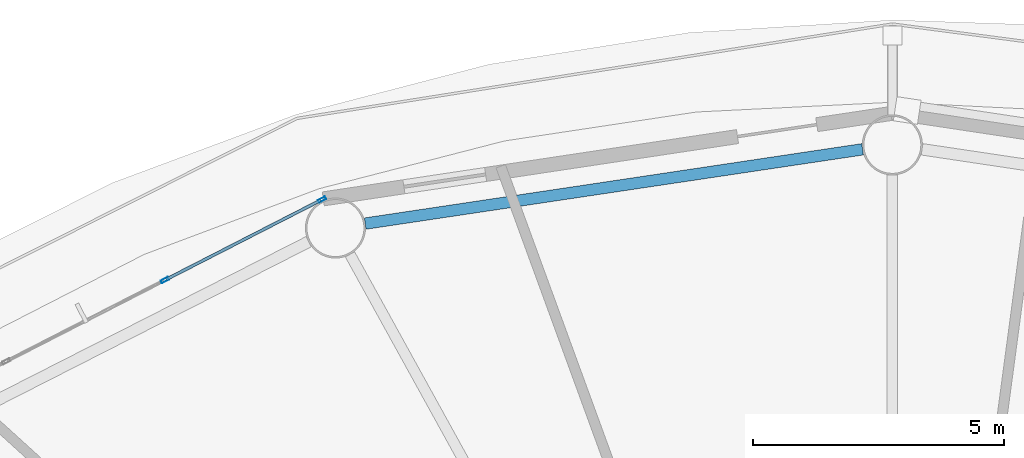
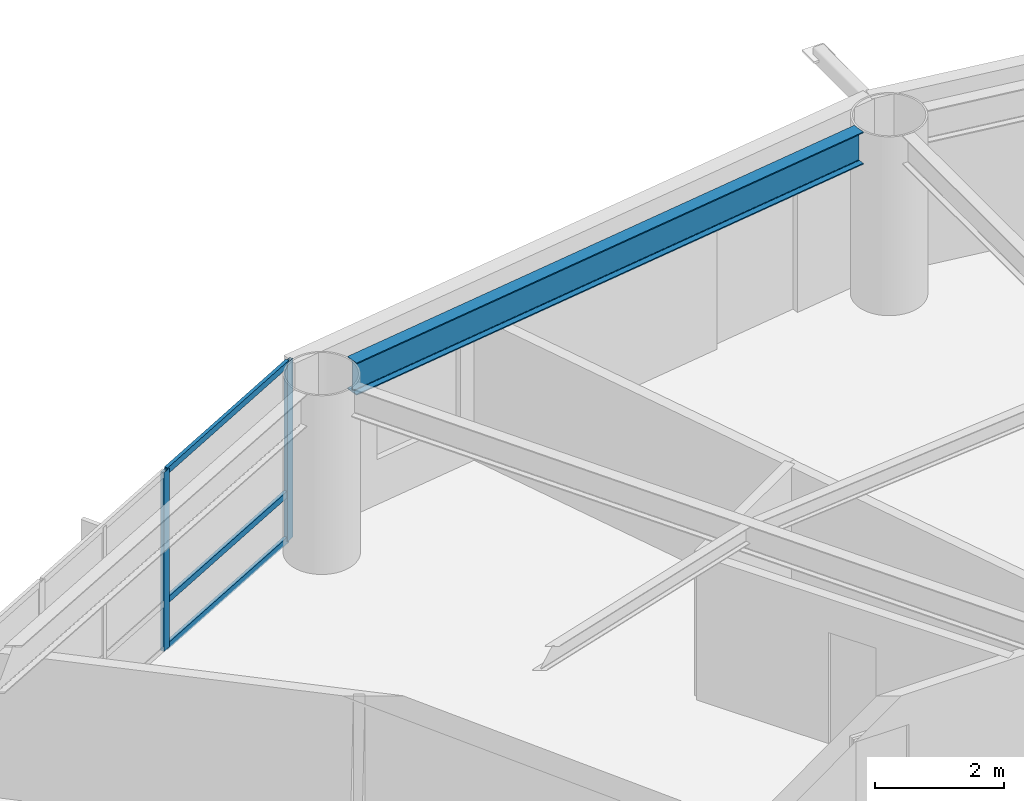
# One storey, part 10 of 24: 5 members, 1 beam, 1 element without a shape of its own.
"""IFC4 building model written with IfcOpenShell, lengths in metres."""

from ifc_helpers import new_model, si_unit, direction, frame, origin, origin_2d, place, context, subcontext, project, spatial, hollow_rectangle, i_section, extrude, material, layer, layer_set, material_profile, profile_set, type_object, element, aggregate, save


model = new_model("IFC4")

# Units and contexts
model_context = context("Model", 3, precision=1e-05, world=origin(), true_north=direction((0.0, 1.0)))
body_context = subcontext(model_context, "Body", "Model", "MODEL_VIEW")
ifc_project = project(units=[si_unit("LENGTHUNIT", "METRE"), si_unit("AREAUNIT", "SQUARE_METRE"), si_unit("VOLUMEUNIT", "CUBIC_METRE"), si_unit("PLANEANGLEUNIT", "RADIAN"), si_unit("MASSUNIT", "GRAM", prefix="KILO")], contexts=[model_context])

# Site, building, storey
site_placement = place(None, origin())
site = spatial("IfcSite", under=ifc_project, at=site_placement, CompositionType="ELEMENT")
building_placement = place(site_placement, origin())
building = spatial("IfcBuilding", under=site, at=building_placement, Name="Sarneth Arch Tower", CompositionType="ELEMENT")
storey_placement = place(building_placement, frame((0.0, 0.0, 109.199951171875)))
storey = spatial("IfcBuildingStorey", under=building, at=storey_placement, Name="L27", CompositionType="ELEMENT", Elevation=109.199951171875)

# Beam
ifc_material_1 = material(Name="Steel S355", Category="steel")
ifc_material_profile_1 = material_profile(ifc_material_1, i_section(OverallWidth=0.22900390625, OverallDepth=0.612060546875, WebThickness=0.011962890625, FlangeThickness=0.01953125, FilletRadius=0.01904296875, at=origin_2d()), Name="W610x125")
ifc_profile_set_1 = profile_set([ifc_material_profile_1], Name="Steel S355")
beam_type = type_object("IfcBeamType", Name="BM-SPAN-610C", PredefinedType="SPANDREL", material=ifc_profile_set_1)
beam_placement = place(storey_placement, frame((47.406494140625, 63.71142578125, 3.073974609375), z_axis=(-0.989028613319, -0.147724073992, 0.0), x_axis=(0.147724073992, -0.989028613319, 0.0)))
element("IfcBeam", 1, at=beam_placement, inside=storey, type_object=beam_type, Name="L27 Perimeter spandrel beam 05", PredefinedType="SPANDREL", context=body_context, shape_type="SweptSolid", body=[
    extrude(i_section(OverallWidth=0.22900390625, OverallDepth=0.612060546875, WebThickness=0.011962890625, FlangeThickness=0.01953125, FilletRadius=0.01904296875, at=origin_2d()), origin(), (0.0, 0.0, 1.0), 10.033447265625),
])

# Curtain wall, members
ifc_material_2 = material(Name="Anodised aluminium Type AA25 and solar-control low-e laminated IGU", Category="aluminium")
ifc_layer = layer(ifc_material_2, 0.159912109375)
ifc_layer_set = layer_set([ifc_layer], Name="Anodised aluminium Type AA25 and solar-control low-e laminated IGU")
curtain_wall_type = type_object("IfcCurtainWallType", Name="CW-HOTEL-MID", PredefinedType="NOTDEFINED", material=ifc_layer_set)
curtain_wall_placement = place(storey_placement, origin())
curtain_wall = element("IfcCurtainWall", 2, at=curtain_wall_placement, inside=storey, type_object=curtain_wall_type, Name="L27 Unitised curtain wall facet 06", PredefinedType="NOTDEFINED")
ifc_material_3 = material(Name="Anodised Aluminium 6063-T6", Category="aluminium")
ifc_material_profile_2 = material_profile(ifc_material_3, hollow_rectangle(XDim=0.06005859375, YDim=0.159912109375, WallThickness=0.00390625, at=origin_2d()), Name="AL-MULL-160x60x4")
ifc_profile_set_2 = profile_set([ifc_material_profile_2], Name="Anodised Aluminium 6063-T6")
member_type_1 = type_object("IfcMemberType", Name="CW-MULLION", PredefinedType="MULLION", material=ifc_profile_set_2)
member_1_placement = place(storey_placement, frame((36.6220703125, 62.708984375, 0.0), z_axis=(0.0, 0.0, 1.0), x_axis=(0.456031365356, -0.889963703649, 0.0)))
member_1 = element("IfcMember", 3, at=member_1_placement, type_object=member_type_1, Name="CW-SYS-4 mullion 1", PredefinedType="MULLION", context=body_context, shape_type="SweptSolid", body=[
    extrude(hollow_rectangle(XDim=0.06005859375, YDim=0.159912109375, WallThickness=0.00390625, at=origin_2d()), origin(), (0.0, 0.0, 1.0), 3.380126953125),
])
member_2_placement = place(storey_placement, frame((33.48583984375, 61.101806640625, 0.0), z_axis=(0.0, 0.0, 1.0), x_axis=(0.456031365356, -0.889963703649, 0.0)))
member_2 = element("IfcMember", 4, at=member_2_placement, type_object=member_type_1, Name="CW-SYS-4 mullion 2", PredefinedType="MULLION", context=body_context, shape_type="SweptSolid", body=[
    extrude(hollow_rectangle(XDim=0.06005859375, YDim=0.159912109375, WallThickness=0.00390625, at=origin_2d()), origin(), (0.0, 0.0, 1.0), 3.380126953125),
])
ifc_material_4 = material(Name="Anodised Aluminium 6063-T6", Category="aluminium")
ifc_material_profile_3 = material_profile(ifc_material_4, hollow_rectangle(XDim=0.06005859375, YDim=0.1201171875, WallThickness=0.00390625, at=origin_2d()), Name="AL-TRAN-120x60x4")
ifc_profile_set_3 = profile_set([ifc_material_profile_3], Name="Anodised Aluminium 6063-T6")
member_type_2 = type_object("IfcMemberType", Name="CW-TRANSOM", PredefinedType="USERDEFINED", material=ifc_profile_set_3)
member_3_placement = place(storey_placement, frame((36.595458984375, 62.6953125, 0.030029296875), z_axis=(-0.889957563627, -0.456043347658, 0.0), x_axis=(0.456043347658, -0.889957563627, 0.0)))
member_3 = element("IfcMember", 5, at=member_3_placement, type_object=member_type_2, Name="CW-SYS-4 transom 1.1", ObjectType="TRANSOM", PredefinedType="USERDEFINED", context=body_context, shape_type="SweptSolid", body=[
    extrude(hollow_rectangle(XDim=0.06005859375, YDim=0.1201171875, WallThickness=0.00390625, at=origin_2d()), origin(), (0.0, 0.0, 1.0), 3.464111328125),
])
member_4_placement = place(storey_placement, frame((36.595458984375, 62.6953125, 0.900146484375), z_axis=(-0.889957563627, -0.456043347658, 0.0), x_axis=(0.456043347658, -0.889957563627, 0.0)))
member_4 = element("IfcMember", 6, at=member_4_placement, type_object=member_type_2, Name="CW-SYS-4 transom 1.2", ObjectType="TRANSOM", PredefinedType="USERDEFINED", context=body_context, shape_type="SweptSolid", body=[
    extrude(hollow_rectangle(XDim=0.06005859375, YDim=0.1201171875, WallThickness=0.00390625, at=origin_2d()), origin(), (0.0, 0.0, 1.0), 3.464111328125),
])
member_5_placement = place(storey_placement, frame((36.595458984375, 62.6953125, 3.35009765625), z_axis=(-0.889957563627, -0.456043347658, 0.0), x_axis=(0.456043347658, -0.889957563627, 0.0)))
member_5 = element("IfcMember", 7, at=member_5_placement, type_object=member_type_2, Name="CW-SYS-4 transom 1.3", ObjectType="TRANSOM", PredefinedType="USERDEFINED", context=body_context, shape_type="SweptSolid", body=[
    extrude(hollow_rectangle(XDim=0.06005859375, YDim=0.1201171875, WallThickness=0.00390625, at=origin_2d()), origin(), (0.0, 0.0, 1.0), 3.464111328125),
])
aggregate(curtain_wall, [member_1, member_2, member_3, member_4, member_5])

save(model, "model.ifc")
